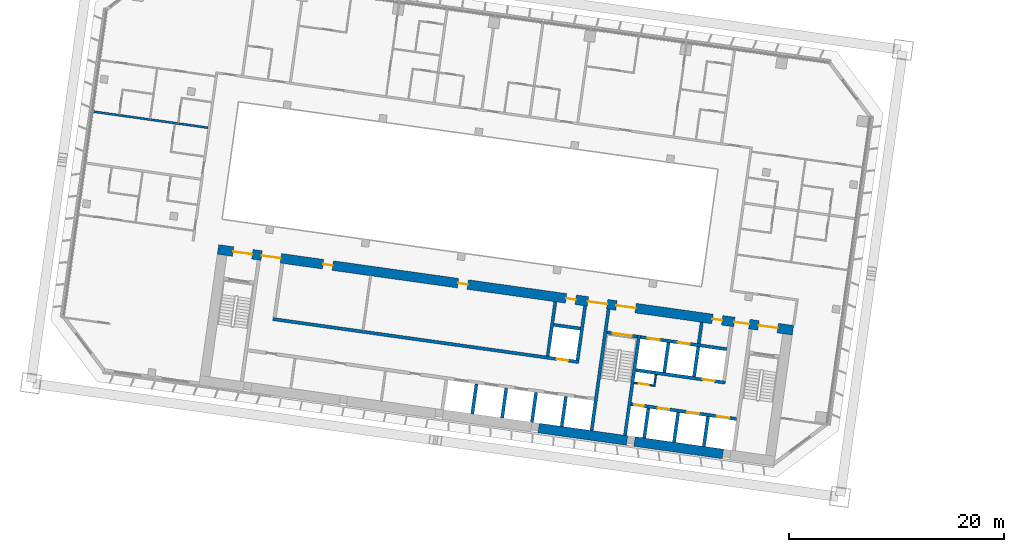
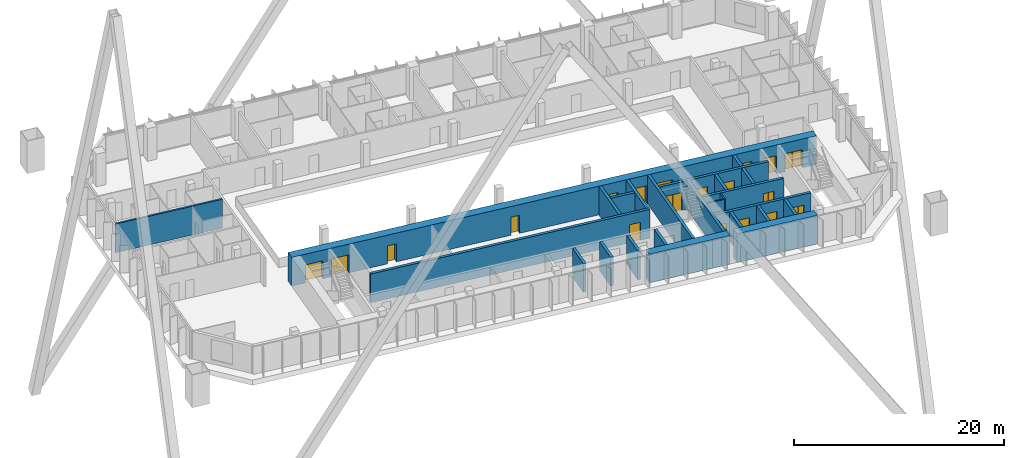
# One storey, part 39 of 49: 26 walls, 20 doors, 20 openings.
"""IFC4 building model written with IfcOpenShell, lengths in metres."""

import ifcopenshell
import ifcopenshell.guid

model = None  # the IFC model being written
_history = None  # IfcOwnerHistory: only IFC2X3 demands one
_inside = {}  # id of a spatial element -> (the spatial element, [elements in it])
_under = {}  # id of a project, library or spatial element -> (it, [spatial elements below it])
_declared = {}  # id of a project -> (the project, [libraries it declares])
_typed = {}  # id of a type object -> (the type object, [elements of that type])
_made_of = {}  # id of a material, layer set ... -> (it, [elements and type objects made of it])


def new_model(schema):
    """Start an empty IFC model of exactly this schema.

    Asked for "IFC4X3", IfcOpenShell would pick the latest addendum, in which some entities
    have other attributes; the version numbers below select the first issue.
    IFC2X3 requires an IfcOwnerHistory on every rooted entity: one is made here for all.
    """
    global model, _history
    if schema == "IFC4X3":
        model = ifcopenshell.file(schema_version=(4, 3, 0, 0))
    else:
        model = ifcopenshell.file(schema=schema)
    _inside.clear()
    _under.clear()
    _declared.clear()
    _typed.clear()
    _made_of.clear()
    _history = None
    if model.schema == "IFC2X3":
        org = make("IfcOrganization", Name="unknown")
        user = make(
            "IfcPersonAndOrganization",
            ThePerson=make("IfcPerson", FamilyName="unknown"),
            TheOrganization=org,
        )
        app = make(
            "IfcApplication",
            ApplicationDeveloper=org,
            Version="unknown",
            ApplicationFullName="unknown",
            ApplicationIdentifier="unknown",
        )
        _history = make(
            "IfcOwnerHistory",
            OwningUser=user,
            OwningApplication=app,
            ChangeAction="ADDED",
            CreationDate=0,
        )
    return model


def make(cls, **values):
    """One entity of the class cls with the attributes given. An attribute that is None is left unset."""
    return model.create_entity(
        cls, **{name: value for name, value in values.items() if value is not None}
    )


def rooted(cls, **values):
    """An entity with a GlobalId (a new one), such as an element, a storey or a relation."""
    return make(cls, GlobalId=ifcopenshell.guid.new(), OwnerHistory=_history, **values)


def si_unit(unit_type, name, prefix=None):
    """IfcSIUnit, for example si_unit("LENGTHUNIT", "METRE", prefix="MILLI")."""
    return make("IfcSIUnit", UnitType=unit_type, Prefix=prefix, Name=name)


def assignment(units):
    """IfcUnitAssignment: the units of a project."""
    return None if units is None else make("IfcUnitAssignment", Units=units)


def point(xyz):
    """IfcCartesianPoint."""
    return None if xyz is None else make("IfcCartesianPoint", Coordinates=xyz)


def direction(xyz):
    """IfcDirection."""
    return None if xyz is None else make("IfcDirection", DirectionRatios=xyz)


def frame(location, z_axis=None, x_axis=None):
    """IfcAxis2Placement3D, a coordinate frame: its origin and axes. An axis left out is left unset."""
    return make(
        "IfcAxis2Placement3D",
        Location=point(location),
        Axis=direction(z_axis),
        RefDirection=direction(x_axis),
    )


def frame_2d(location, x_axis=None):
    """IfcAxis2Placement2D, a coordinate frame in the plane: its origin and x axis."""
    return make(
        "IfcAxis2Placement2D", Location=point(location), RefDirection=direction(x_axis)
    )


def origin():
    """The frame at (0, 0, 0) with its axes left unset."""
    return frame((0.0, 0.0, 0.0))


def place(relative_to, where):
    """IfcLocalPlacement: puts the frame where relative to a parent placement (None: the world)."""
    return make(
        "IfcLocalPlacement", PlacementRelTo=relative_to, RelativePlacement=where
    )


def context(
    kind, dimensions, precision=None, world=None, true_north=None, identifier=None
):
    """IfcGeometricRepresentationContext, for example the 3D "Model" context."""
    return make(
        "IfcGeometricRepresentationContext",
        ContextIdentifier=identifier,
        ContextType=kind,
        CoordinateSpaceDimension=dimensions,
        Precision=precision,
        WorldCoordinateSystem=world,
        TrueNorth=true_north,
    )


def subcontext(parent, identifier, kind, view, scale=None):
    """IfcGeometricRepresentationSubContext, for example "Body" below "Model"."""
    return make(
        "IfcGeometricRepresentationSubContext",
        ContextIdentifier=identifier,
        ContextType=kind,
        ParentContext=parent,
        TargetScale=scale,
        TargetView=view,
    )


def project(units=None, contexts=None):
    """IfcProject with its units and contexts."""
    return rooted(
        "IfcProject",
        Name="project",
        RepresentationContexts=contexts,
        UnitsInContext=assignment(units),
    )


def spatial(cls, under=None, at=None, **own):
    """A site, building, storey or space (cls), placed at a placement, below another one or the project."""
    s = rooted(cls, ObjectPlacement=at, **own)
    if under is not None:
        _under.setdefault(under.id(), (under, []))[1].append(s)
    return s


def profile(cls, at=None, kind="AREA", **sizes):
    """A parametric profile (cls). Its sizes go by their IFC names, for example OverallWidth=200.0."""
    return make(cls, ProfileType=kind, Position=at, **sizes)


def rectangle(**sizes):
    """IfcRectangleProfileDef."""
    return profile("IfcRectangleProfileDef", **sizes)


def extrude(swept, where, along, depth):
    """IfcExtrudedAreaSolid: the profile swept, set in the frame where, extruded along a direction by depth."""
    return make(
        "IfcExtrudedAreaSolid",
        SweptArea=swept,
        Position=where,
        ExtrudedDirection=direction(along),
        Depth=depth,
    )


def shape(context_of_items, identifier, shape_type, items):
    """IfcShapeRepresentation: the items that make up one representation, for example the "Body"."""
    return make(
        "IfcShapeRepresentation",
        ContextOfItems=context_of_items,
        RepresentationIdentifier=identifier,
        RepresentationType=shape_type,
        Items=items,
    )


def material(Name=None, Category=None):
    """IfcMaterial."""
    return make("IfcMaterial", Name=Name, Category=Category)


def layer(
    of_material, thickness, ventilated=None, Name=None, Category=None, Priority=None
):
    """IfcMaterialLayer: one layer of a wall or slab, of a material (None: an air gap)."""
    return make(
        "IfcMaterialLayer",
        Material=of_material,
        LayerThickness=thickness,
        IsVentilated=ventilated,
        Name=Name,
        Category=Category,
        Priority=Priority,
    )


def layer_set(layers, Name=None):
    """IfcMaterialLayerSet."""
    return make("IfcMaterialLayerSet", MaterialLayers=layers, LayerSetName=Name)


def made_of(thing, what):
    """Note that an element or type object is made of a material, layer set ...; save() writes the relation."""
    if what is not None:
        _made_of.setdefault(what.id(), (what, []))[1].append(thing)
    return thing


def type_object(cls, material=None, **own):
    """A type object (cls), such as IfcWallType, which elements share."""
    return made_of(rooted(cls, **own), material)


def element(
    cls,
    number,
    at=None,
    inside=None,
    cuts=None,
    type_object=None,
    material=None,
    context=None,
    identifier="Body",
    shape_type=None,
    held_by="IfcProductDefinitionShape",
    body=None,
    shapes=None,
    **own,
):
    """One element of the class cls, such as IfcWall. Its Tag is "e" and its number.

    at: its placement. inside: the storey or other place that contains it. cuts: it is an
    opening in that element (IfcRelVoidsElement). A single representation is given by context,
    identifier, shape_type and body (its items); several are given by shapes. held_by: the class
    of the entity that holds the representations. save() writes the other relations.
    """
    e = rooted(cls, Tag="e%d" % number, ObjectPlacement=at, **own)
    if body is not None:
        shapes = [shape(context, identifier, shape_type, body)]
    if shapes is not None:
        e.Representation = make(held_by, Representations=shapes)
    if inside is not None:
        _inside.setdefault(inside.id(), (inside, []))[1].append(e)
    if cuts is not None:
        rooted(
            "IfcRelVoidsElement", RelatingBuildingElement=cuts, RelatedOpeningElement=e
        )
    if type_object is not None:
        _typed.setdefault(type_object.id(), (type_object, []))[1].append(e)
    return made_of(e, material)


def fill(opening, filler):
    """IfcRelFillsElement: the door or window that sits in an opening."""
    return rooted(
        "IfcRelFillsElement",
        RelatingOpeningElement=opening,
        RelatedBuildingElement=filler,
    )


def aggregate(whole, parts):
    """IfcRelAggregates: a whole, such as a stair, and the parts it consists of."""
    return rooted("IfcRelAggregates", RelatingObject=whole, RelatedObjects=parts)


def save(model, path):
    """Write the relations noted so far, then the file.

    IfcRelAggregates (storeys below a building ...), IfcRelContainedInSpatialStructure (elements
    in a storey), IfcRelDefinesByType, IfcRelAssociatesMaterial and IfcRelDeclares: one each for
    every whole, place, type object, material and project.
    """
    for whole, parts in _under.values():
        aggregate(whole, parts)
    for where, things in _inside.values():
        rooted(
            "IfcRelContainedInSpatialStructure",
            RelatedElements=things,
            RelatingStructure=where,
        )
    for kind, things in _typed.values():
        rooted("IfcRelDefinesByType", RelatedObjects=things, RelatingType=kind)
    for what, things in _made_of.values():
        rooted("IfcRelAssociatesMaterial", RelatedObjects=things, RelatingMaterial=what)
    for by, libraries in _declared.values():
        rooted("IfcRelDeclares", RelatingContext=by, RelatedDefinitions=libraries)
    model.write(path)


model = new_model("IFC4")

# Units and contexts
model_context = context("Model", 3, precision=1e-05, world=origin(), true_north=direction((0.0, 1.0)))
body_context = subcontext(model_context, "Body", "Model", "MODEL_VIEW")
ifc_project = project(units=[si_unit("LENGTHUNIT", "METRE"), si_unit("AREAUNIT", "SQUARE_METRE"), si_unit("VOLUMEUNIT", "CUBIC_METRE"), si_unit("PLANEANGLEUNIT", "RADIAN"), si_unit("MASSUNIT", "GRAM", prefix="KILO")], contexts=[model_context])

# Site, building, storey
site_placement = place(None, origin())
site = spatial("IfcSite", under=ifc_project, at=site_placement, CompositionType="ELEMENT")
building_placement = place(site_placement, origin())
building = spatial("IfcBuilding", under=site, at=building_placement, Name="Mirante Cascada Hotel Towers", CompositionType="ELEMENT")
storey_placement = place(building_placement, frame((0.0, 0.0, 66.1)))
storey = spatial("IfcBuildingStorey", under=building, at=storey_placement, Name="L13", CompositionType="ELEMENT", Elevation=66.1)

# Walls
ifc_material_1 = material(Name="Fire-rated plasterboard on metal studs")
ifc_layer_1 = layer(ifc_material_1, 0.2)
ifc_layer_set_1 = layer_set([ifc_layer_1], Name="Compartment wall 200 EI 120")
wall_type_1 = type_object("IfcWallType", Name="Compartment wall 200 EI 120", PredefinedType="PARTITIONING", material=ifc_layer_set_1)
wall_1_placement = place(storey_placement, frame((-100.6266, 12.8067, 0.0), z_axis=(0.0, 0.0, 1.0), x_axis=(0.990268, -0.1391733, 0.0)))
element("IfcWall", 1, at=wall_1_placement, inside=storey, type_object=wall_type_1, Name="Wall 1-L13-13", PredefinedType="PARTITIONING", context=body_context, shape_type="SweptSolid", body=[
    extrude(rectangle(XDim=11.0, YDim=0.2, at=frame_2d((5.5, 0.0))), origin(), (0.0, 0.0, 1.0), 3.35),
])
ifc_material_2 = material(Name="Masonry block", Category="masonry")
ifc_layer_2 = layer(ifc_material_2, 0.15)
ifc_layer_set_2 = layer_set([ifc_layer_2], Name="Core room partition 150 block EI 30")
wall_type_2 = type_object("IfcWallType", Name="Core room partition 150 block EI 30", PredefinedType="PARTITIONING", material=ifc_layer_set_2)
wall_2_placement = place(storey_placement, frame((-48.2295, -12.793, 0.0), z_axis=(0.0, 0.0, 1.0), x_axis=(0.1391935, 0.9902652, 0.0)))
element("IfcWall", 2, at=wall_2_placement, inside=storey, type_object=wall_type_2, Name="Core wall partition T1 L13 2", PredefinedType="PARTITIONING", context=body_context, shape_type="SweptSolid", body=[
    extrude(rectangle(XDim=1.1251, YDim=0.15, at=frame_2d((0.5626, 0.0))), origin(), (0.0, 0.0, 1.0), 3.35),
])

# Wall, opening, door
wall_3_placement = place(storey_placement, frame((-48.2933, -12.7083, 0.0), z_axis=(0.0, 0.0, 1.0), x_axis=(-0.990268, 0.1391734, 0.0)))
wall_3 = element("IfcWall", 3, at=wall_3_placement, inside=storey, type_object=wall_type_2, Name="Core wall partition T1 L13 3", PredefinedType="PARTITIONING", context=body_context, shape_type="SweptSolid", body=[
    extrude(rectangle(XDim=1.8251, YDim=0.15, at=frame_2d((0.9126, 0.0))), origin(), (0.0, 0.0, 1.0), 3.35),
])
opening_1_placement = place(wall_3_placement, frame((0.4625, 0.0, 0.0)))
opening_1 = element("IfcOpeningElement", 4, at=opening_1_placement, cuts=wall_3, Name="Opening D1-13-C23", PredefinedType="OPENING", context=body_context, shape_type="SweptSolid", body=[
    extrude(rectangle(XDim=0.9, YDim=2.1, at=frame_2d((0.45, 1.05))), frame((0.0, 0.075, 0.0), z_axis=(0.0, -1.0, 0.0), x_axis=(1.0, 0.0, 0.0)), (0.0, 0.0, 1.0), 0.15),
])
ifc_material_3 = material(Name="Hollow metal fire door leaf")
door_type_1 = type_object("IfcDoorType", Name="Fire door 900x2100 FD60", OperationType="NOTDEFINED", PredefinedType="DOOR", material=ifc_material_3)
door_1_placement = place(opening_1_placement, origin())
door_1 = element("IfcDoor", 5, at=door_1_placement, inside=storey, type_object=door_type_1, Name="Riser door T1 L13 23", OperationType="SINGLE_SWING_LEFT", OverallHeight=2.1, OverallWidth=0.9, PredefinedType="DOOR", context=body_context, shape_type="SweptSolid", body=[
    extrude(rectangle(XDim=0.9, YDim=2.1, at=frame_2d((0.45, 1.05))), frame((0.0, 0.025, 0.0), z_axis=(0.0, -1.0, 0.0), x_axis=(1.0, 0.0, 0.0)), (0.0, 0.0, 1.0), 0.05),
])
fill(opening_1, door_1)

# Walls
ifc_material_4 = material(Name="Masonry block", Category="masonry")
ifc_layer_3 = layer(ifc_material_4, 0.3)
ifc_layer_set_3 = layer_set([ifc_layer_3], Name="Core wall 300 block EI 120")
wall_type_3 = type_object("IfcWallType", Name="Core wall 300 block EI 120", PredefinedType="PARTITIONING", material=ifc_layer_set_3)
wall_4_placement = place(storey_placement, frame((-44.0843, -8.8061, 0.0), z_axis=(0.0, 0.0, 1.0), x_axis=(0.1391951, 0.990265, 0.0)))
element("IfcWall", 6, at=wall_4_placement, inside=storey, type_object=wall_type_3, Name="Core wall partition T1 L13 1", PredefinedType="PARTITIONING", context=body_context, shape_type="SweptSolid", body=[
    extrude(rectangle(XDim=2.0001, YDim=0.3, at=frame_2d((1.0001, 0.0))), origin(), (0.0, 0.0, 1.0), 3.35),
])
ifc_material_5 = material(Name="Concrete C50/60", Category="concrete")
ifc_layer_4 = layer(ifc_material_5, 0.3)
ifc_layer_set_4 = layer_set([ifc_layer_4], Name="RC core wall 300 C50/60")
wall_type_4 = type_object("IfcWallType", Name="RC core wall 300 C50/60", PredefinedType="SHEAR", material=ifc_layer_set_4)
wall_5_placement = place(storey_placement, frame((-50.938, -17.3352, 0.0), z_axis=(0.0, 0.0, 1.0), x_axis=(0.1391706, 0.9902684, 0.0)))
element("IfcWall", 7, at=wall_5_placement, inside=storey, type_object=wall_type_4, Name="Core wall T1:L13:6", PredefinedType="SHEAR", context=body_context, shape_type="SweptSolid", body=[
    extrude(rectangle(XDim=9.4, YDim=0.3, at=frame_2d((4.7, 0.0))), origin(), (0.0, 0.0, 1.0), 3.35),
])
wall_6_placement = place(storey_placement, frame((-54.0574, -16.8968, 0.0), z_axis=(0.0, 0.0, 1.0), x_axis=(0.1391761, 0.9902677, 0.0)))
element("IfcWall", 8, at=wall_6_placement, inside=storey, type_object=wall_type_4, Name="Core wall T1:L13:7", PredefinedType="SHEAR", context=body_context, shape_type="SweptSolid", body=[
    extrude(rectangle(XDim=11.3999, YDim=0.3, at=frame_2d((5.7, 0.0))), origin(), (0.0, 0.0, 1.0), 3.35),
])

# Wall, opening, door
wall_7_placement = place(storey_placement, frame((-49.7992, -8.1544, 0.0), z_axis=(0.0, 0.0, 1.0), x_axis=(-0.9902656, 0.1391909, 0.0)))
wall_7 = element("IfcWall", 9, at=wall_7_placement, inside=storey, type_object=wall_type_4, Name="Core wall T1:L13:10", PredefinedType="SHEAR", context=body_context, shape_type="SweptSolid", body=[
    extrude(rectangle(XDim=2.85, YDim=0.3, at=frame_2d((1.425, 0.0))), origin(), (0.0, 0.0, 1.0), 3.35),
])
opening_2_placement = place(wall_7_placement, frame((0.525, 0.0, 0.0)))
opening_2 = element("IfcOpeningElement", 10, at=opening_2_placement, cuts=wall_7, Name="Opening D1-13-C15", PredefinedType="OPENING", context=body_context, shape_type="SweptSolid", body=[
    extrude(rectangle(XDim=1.8, YDim=2.1, at=frame_2d((0.9, 1.05))), frame((0.0, 0.15, 0.0), z_axis=(0.0, -1.0, 0.0), x_axis=(1.0, 0.0, 0.0)), (0.0, 0.0, 1.0), 0.3),
])
ifc_material_6 = material(Name="Hollow metal fire door leaf")
door_type_2 = type_object("IfcDoorType", Name="Double fire door 1800x2100 FD60", OperationType="DOUBLE_DOOR_SINGLE_SWING", PredefinedType="DOOR", material=ifc_material_6)
door_2_placement = place(opening_2_placement, origin())
door_2 = element("IfcDoor", 11, at=door_2_placement, inside=storey, type_object=door_type_2, Name="Stair door T1 L13 15", OperationType="DOUBLE_DOOR_SINGLE_SWING", OverallHeight=2.1, OverallWidth=1.8, PredefinedType="DOOR", context=body_context, shape_type="SweptSolid", body=[
    extrude(rectangle(XDim=0.895, YDim=2.1, at=frame_2d((0.4475, 1.05))), frame((0.0, 0.025, 0.0), z_axis=(0.0, -1.0, 0.0), x_axis=(1.0, 0.0, 0.0)), (0.0, 0.0, 1.0), 0.05),
    extrude(rectangle(XDim=0.895, YDim=2.1, at=frame_2d((1.3525, 1.05))), frame((0.0, 0.025, 0.0), z_axis=(0.0, -1.0, 0.0), x_axis=(1.0, 0.0, 0.0)), (0.0, 0.0, 1.0), 0.05),
])
fill(opening_2, door_2)

# Wall, openings, doors
wall_8_placement = place(storey_placement, frame((-40.5753, -15.8126, 0.0), z_axis=(0.0, 0.0, 1.0), x_axis=(-0.9902682, 0.1391725, 0.0)))
wall_8 = element("IfcWall", 12, at=wall_8_placement, inside=storey, type_object=wall_type_4, Name="Core wall T1:L13:12", PredefinedType="SHEAR", context=body_context, shape_type="SweptSolid", body=[
    extrude(rectangle(XDim=9.8999, YDim=0.3, at=frame_2d((4.95, 0.0))), origin(), (0.0, 0.0, 1.0), 3.35),
])
opening_3_placement = place(wall_8_placement, frame((0.7, 0.0, 0.0)))
opening_3 = element("IfcOpeningElement", 13, at=opening_3_placement, cuts=wall_8, Name="Opening LD", PredefinedType="OPENING", context=body_context, shape_type="SweptSolid", body=[
    extrude(rectangle(XDim=1.1, YDim=2.1, at=frame_2d((0.55, 1.05))), frame((0.0, 0.15, 0.0), z_axis=(0.0, -1.0, 0.0), x_axis=(1.0, 0.0, 0.0)), (0.0, 0.0, 1.0), 0.3),
])
opening_4_placement = place(wall_8_placement, frame((3.5, 0.0, 0.0)))
opening_4 = element("IfcOpeningElement", 14, at=opening_4_placement, cuts=wall_8, Name="Opening LD", PredefinedType="OPENING", context=body_context, shape_type="SweptSolid", body=[
    extrude(rectangle(XDim=1.1, YDim=2.1, at=frame_2d((0.55, 1.05))), frame((0.0, 0.15, 0.0), z_axis=(0.0, -1.0, 0.0), x_axis=(1.0, 0.0, 0.0)), (0.0, 0.0, 1.0), 0.3),
])
opening_5_placement = place(wall_8_placement, frame((6.3, 0.0, 0.0)))
opening_5 = element("IfcOpeningElement", 15, at=opening_5_placement, cuts=wall_8, Name="Opening LD", PredefinedType="OPENING", context=body_context, shape_type="SweptSolid", body=[
    extrude(rectangle(XDim=1.1, YDim=2.1, at=frame_2d((0.55, 1.05))), frame((0.0, 0.15, 0.0), z_axis=(0.0, -1.0, 0.0), x_axis=(1.0, 0.0, 0.0)), (0.0, 0.0, 1.0), 0.3),
])
opening_6_placement = place(wall_8_placement, frame((8.7, 0.0, 0.0)))
opening_6 = element("IfcOpeningElement", 16, at=opening_6_placement, cuts=wall_8, Name="Opening D1-13-C22", PredefinedType="OPENING", context=body_context, shape_type="SweptSolid", body=[
    extrude(rectangle(XDim=0.9, YDim=2.1, at=frame_2d((0.45, 1.05))), frame((0.0, 0.15, 0.0), z_axis=(0.0, -1.0, 0.0), x_axis=(1.0, 0.0, 0.0)), (0.0, 0.0, 1.0), 0.3),
])
door_3_placement = place(opening_6_placement, origin())
door_3 = element("IfcDoor", 17, at=door_3_placement, inside=storey, type_object=door_type_1, Name="Riser door T1 L13 22", OperationType="SINGLE_SWING_LEFT", OverallHeight=2.1, OverallWidth=0.9, PredefinedType="DOOR", context=body_context, shape_type="SweptSolid", body=[
    extrude(rectangle(XDim=0.9, YDim=2.1, at=frame_2d((0.45, 1.05))), frame((0.0, 0.025, 0.0), z_axis=(0.0, -1.0, 0.0), x_axis=(1.0, 0.0, 0.0)), (0.0, 0.0, 1.0), 0.05),
])
fill(opening_6, door_3)
ifc_material_7 = material(Name="Stainless steel", Category="steel")
door_type_3 = type_object("IfcDoorType", Name="Lift landing door 1100x2100 EI 120", OperationType="DOUBLE_DOOR_SLIDING", PredefinedType="DOOR", material=ifc_material_7)
door_4_placement = place(opening_3_placement, origin())
door_4 = element("IfcDoor", 18, at=door_4_placement, inside=storey, type_object=door_type_3, Name="Lift landing door HR1-1 L13", OperationType="DOUBLE_DOOR_SLIDING", OverallHeight=2.1, OverallWidth=1.1, PredefinedType="DOOR", context=body_context, shape_type="SweptSolid", body=[
    extrude(rectangle(XDim=0.545, YDim=2.1, at=frame_2d((0.2725, 1.05))), frame((0.0, 0.025, 0.0), z_axis=(0.0, -1.0, 0.0), x_axis=(1.0, 0.0, 0.0)), (0.0, 0.0, 1.0), 0.05),
    extrude(rectangle(XDim=0.545, YDim=2.1, at=frame_2d((0.8275, 1.05))), frame((0.0, 0.025, 0.0), z_axis=(0.0, -1.0, 0.0), x_axis=(1.0, 0.0, 0.0)), (0.0, 0.0, 1.0), 0.05),
])
fill(opening_3, door_4)
door_5_placement = place(opening_4_placement, origin())
door_5 = element("IfcDoor", 19, at=door_5_placement, inside=storey, type_object=door_type_3, Name="Lift landing door HR1-2 L13", OperationType="DOUBLE_DOOR_SLIDING", OverallHeight=2.1, OverallWidth=1.1, PredefinedType="DOOR", context=body_context, shape_type="SweptSolid", body=[
    extrude(rectangle(XDim=0.545, YDim=2.1, at=frame_2d((0.2725, 1.05))), frame((0.0, 0.025, 0.0), z_axis=(0.0, -1.0, 0.0), x_axis=(1.0, 0.0, 0.0)), (0.0, 0.0, 1.0), 0.05),
    extrude(rectangle(XDim=0.545, YDim=2.1, at=frame_2d((0.8275, 1.05))), frame((0.0, 0.025, 0.0), z_axis=(0.0, -1.0, 0.0), x_axis=(1.0, 0.0, 0.0)), (0.0, 0.0, 1.0), 0.05),
])
fill(opening_4, door_5)
door_6_placement = place(opening_5_placement, origin())
door_6 = element("IfcDoor", 20, at=door_6_placement, inside=storey, type_object=door_type_3, Name="Lift landing door HR1-3 L13", OperationType="DOUBLE_DOOR_SLIDING", OverallHeight=2.1, OverallWidth=1.1, PredefinedType="DOOR", context=body_context, shape_type="SweptSolid", body=[
    extrude(rectangle(XDim=0.545, YDim=2.1, at=frame_2d((0.2725, 1.05))), frame((0.0, 0.025, 0.0), z_axis=(0.0, -1.0, 0.0), x_axis=(1.0, 0.0, 0.0)), (0.0, 0.0, 1.0), 0.05),
    extrude(rectangle(XDim=0.545, YDim=2.1, at=frame_2d((0.8275, 1.05))), frame((0.0, 0.025, 0.0), z_axis=(0.0, -1.0, 0.0), x_axis=(1.0, 0.0, 0.0)), (0.0, 0.0, 1.0), 0.05),
])
fill(opening_5, door_6)

# Wall, opening, door
wall_9_placement = place(storey_placement, frame((-41.6153, -12.435, 0.0), z_axis=(0.0, 0.0, 1.0), x_axis=(-0.9902691, 0.139166, 0.0)))
wall_9 = element("IfcWall", 21, at=wall_9_placement, inside=storey, type_object=wall_type_4, Name="Core wall T1:L13:13", PredefinedType="SHEAR", context=body_context, shape_type="SweptSolid", body=[
    extrude(rectangle(XDim=8.4, YDim=0.3, at=frame_2d((4.2, 0.0))), origin(), (0.0, 0.0, 1.0), 3.35),
])
opening_7_placement = place(wall_9_placement, frame((1.0, 0.0, 0.0)))
opening_7 = element("IfcOpeningElement", 22, at=opening_7_placement, cuts=wall_9, Name="Opening LD", PredefinedType="OPENING", context=body_context, shape_type="SweptSolid", body=[
    extrude(rectangle(XDim=1.1, YDim=2.1, at=frame_2d((0.55, 1.05))), frame((0.0, 0.15, 0.0), z_axis=(0.0, -1.0, 0.0), x_axis=(1.0, 0.0, 0.0)), (0.0, 0.0, 1.0), 0.3),
])
door_7_placement = place(opening_7_placement, origin())
door_7 = element("IfcDoor", 23, at=door_7_placement, inside=storey, type_object=door_type_3, Name="Lift landing door HR1-4 L13", OperationType="DOUBLE_DOOR_SLIDING", OverallHeight=2.1, OverallWidth=1.1, PredefinedType="DOOR", context=body_context, shape_type="SweptSolid", body=[
    extrude(rectangle(XDim=0.545, YDim=2.1, at=frame_2d((0.2725, 1.05))), frame((0.0, 0.025, 0.0), z_axis=(0.0, -1.0, 0.0), x_axis=(1.0, 0.0, 0.0)), (0.0, 0.0, 1.0), 0.05),
    extrude(rectangle(XDim=0.545, YDim=2.1, at=frame_2d((0.8275, 1.05))), frame((0.0, 0.025, 0.0), z_axis=(0.0, -1.0, 0.0), x_axis=(1.0, 0.0, 0.0)), (0.0, 0.0, 1.0), 0.05),
])
fill(opening_7, door_7)

# Wall, openings, doors
wall_10_placement = place(storey_placement, frame((-41.481, -9.3234, 0.0), z_axis=(0.0, 0.0, 1.0), x_axis=(-0.9902679, 0.1391741, 0.0)))
wall_10 = element("IfcWall", 24, at=wall_10_placement, inside=storey, type_object=wall_type_4, Name="Core wall T1:L13:14", PredefinedType="SHEAR", context=body_context, shape_type="SweptSolid", body=[
    extrude(rectangle(XDim=8.0999, YDim=0.3, at=frame_2d((4.05, 0.0))), origin(), (0.0, 0.0, 1.0), 3.35),
])
opening_8_placement = place(wall_10_placement, frame((3.5, 0.0, 0.0)))
opening_8 = element("IfcOpeningElement", 25, at=opening_8_placement, cuts=wall_10, Name="Opening LD", PredefinedType="OPENING", context=body_context, shape_type="SweptSolid", body=[
    extrude(rectangle(XDim=1.1, YDim=2.1, at=frame_2d((0.55, 1.05))), frame((0.0, 0.15, 0.0), z_axis=(0.0, -1.0, 0.0), x_axis=(1.0, 0.0, 0.0)), (0.0, 0.0, 1.0), 0.3),
])
opening_9_placement = place(wall_10_placement, frame((6.3, 0.0, 0.0)))
opening_9 = element("IfcOpeningElement", 26, at=opening_9_placement, cuts=wall_10, Name="Opening LD", PredefinedType="OPENING", context=body_context, shape_type="SweptSolid", body=[
    extrude(rectangle(XDim=1.1, YDim=2.1, at=frame_2d((0.55, 1.05))), frame((0.0, 0.15, 0.0), z_axis=(0.0, -1.0, 0.0), x_axis=(1.0, 0.0, 0.0)), (0.0, 0.0, 1.0), 0.3),
])
door_8_placement = place(opening_8_placement, origin())
door_8 = element("IfcDoor", 27, at=door_8_placement, inside=storey, type_object=door_type_3, Name="Lift landing door FF1 L13", OperationType="DOUBLE_DOOR_SLIDING", OverallHeight=2.1, OverallWidth=1.1, PredefinedType="DOOR", context=body_context, shape_type="SweptSolid", body=[
    extrude(rectangle(XDim=0.545, YDim=2.1, at=frame_2d((0.2725, 1.05))), frame((0.0, 0.025, 0.0), z_axis=(0.0, -1.0, 0.0), x_axis=(1.0, 0.0, 0.0)), (0.0, 0.0, 1.0), 0.05),
    extrude(rectangle(XDim=0.545, YDim=2.1, at=frame_2d((0.8275, 1.05))), frame((0.0, 0.025, 0.0), z_axis=(0.0, -1.0, 0.0), x_axis=(1.0, 0.0, 0.0)), (0.0, 0.0, 1.0), 0.05),
])
fill(opening_8, door_8)
door_9_placement = place(opening_9_placement, origin())
door_9 = element("IfcDoor", 28, at=door_9_placement, inside=storey, type_object=door_type_3, Name="Lift landing door FF2 L13", OperationType="DOUBLE_DOOR_SLIDING", OverallHeight=2.1, OverallWidth=1.1, PredefinedType="DOOR", context=body_context, shape_type="SweptSolid", body=[
    extrude(rectangle(XDim=0.545, YDim=2.1, at=frame_2d((0.2725, 1.05))), frame((0.0, 0.025, 0.0), z_axis=(0.0, -1.0, 0.0), x_axis=(1.0, 0.0, 0.0)), (0.0, 0.0, 1.0), 0.05),
    extrude(rectangle(XDim=0.545, YDim=2.1, at=frame_2d((0.8275, 1.05))), frame((0.0, 0.025, 0.0), z_axis=(0.0, -1.0, 0.0), x_axis=(1.0, 0.0, 0.0)), (0.0, 0.0, 1.0), 0.05),
])
fill(opening_9, door_9)

# Walls
wall_11_placement = place(storey_placement, frame((-43.61, -18.3651, 0.0), z_axis=(0.0, 0.0, 1.0), x_axis=(0.1391459, 0.9902719, 0.0)))
element("IfcWall", 29, at=wall_11_placement, inside=storey, type_object=wall_type_4, Name="Core wall T1:L13:15", PredefinedType="SHEAR", context=body_context, shape_type="SweptSolid", body=[
    extrude(rectangle(XDim=2.7999, YDim=0.3, at=frame_2d((1.4, 0.0))), origin(), (0.0, 0.0, 1.0), 3.35),
])
wall_12_placement = place(storey_placement, frame((-46.3828, -17.9754, 0.0), z_axis=(0.0, 0.0, 1.0), x_axis=(0.139181, 0.990267, 0.0)))
element("IfcWall", 30, at=wall_12_placement, inside=storey, type_object=wall_type_4, Name="Core wall T1:L13:16", PredefinedType="SHEAR", context=body_context, shape_type="SweptSolid", body=[
    extrude(rectangle(XDim=2.8, YDim=0.3, at=frame_2d((1.4, 0.0))), origin(), (0.0, 0.0, 1.0), 3.35),
])
wall_13_placement = place(storey_placement, frame((-49.1555, -17.5857, 0.0), z_axis=(0.0, 0.0, 1.0), x_axis=(0.1391459, 0.9902719, 0.0)))
element("IfcWall", 31, at=wall_13_placement, inside=storey, type_object=wall_type_4, Name="Core wall T1:L13:17", PredefinedType="SHEAR", context=body_context, shape_type="SweptSolid", body=[
    extrude(rectangle(XDim=2.7999, YDim=0.3, at=frame_2d((1.4, 0.0))), origin(), (0.0, 0.0, 1.0), 3.35),
])
for number, where, z_axis, x_axis, name in (
    (32, (-44.5157, -11.8759, 0.0), (0.0, 0.0, 1.0), (0.139181, 0.990267, 0.0), "Core wall T1:L13:18"),
    (33, (-47.2885, -11.4862, 0.0), (0.0, 0.0, 1.0), (0.139181, 0.990267, 0.0), "Core wall T1:L13:19"),
):
    element("IfcWall", number, at=place(storey_placement, frame(where, z_axis=z_axis, x_axis=x_axis)), inside=storey, type_object=wall_type_4, Name=name, PredefinedType="SHEAR", context=body_context, shape_type="SweptSolid", body=[
        extrude(rectangle(XDim=2.8, YDim=0.3, at=frame_2d((1.4, 0.0))), origin(), (0.0, 0.0, 1.0), 3.35),
    ])
for number, where, z_axis, x_axis, name in (
    (34, (-56.8301, -16.5072, 0.0), (0.0, 0.0, 1.0), (0.139176, 0.9902677, 0.0), "Core wall T1:L13:25"),
    (35, (-59.6029, -16.1175, 0.0), (0.0, 0.0, 1.0), (0.139176, 0.9902677, 0.0), "Core wall T1:L13:26"),
    (36, (-62.3756, -15.7278, 0.0), (0.0, 0.0, 1.0), (0.139176, 0.9902677, 0.0), "Core wall T1:L13:27"),
    (37, (-65.1484, -15.3381, 0.0), (0.0, 0.0, 1.0), (0.139176, 0.9902677, 0.0), "Core wall T1:L13:28"),
):
    element("IfcWall", number, at=place(storey_placement, frame(where, z_axis=z_axis, x_axis=x_axis)), inside=storey, type_object=wall_type_4, Name=name, PredefinedType="SHEAR", context=body_context, shape_type="SweptSolid", body=[
        extrude(rectangle(XDim=2.8001, YDim=0.3, at=frame_2d((1.4, 0.0))), origin(), (0.0, 0.0, 1.0), 3.35),
    ])

# Wall, opening, door
wall_14_placement = place(storey_placement, frame((-55.2315, -10.5214, 0.0), z_axis=(0.0, 0.0, 1.0), x_axis=(-0.9902682, 0.1391722, 0.0)))
wall_14 = element("IfcWall", 38, at=wall_14_placement, inside=storey, type_object=wall_type_4, Name="Core wall T1:L13:32", PredefinedType="SHEAR", context=body_context, shape_type="SweptSolid", body=[
    extrude(rectangle(XDim=28.75, YDim=0.3, at=frame_2d((14.375, 0.0))), origin(), (0.0, 0.0, 1.0), 3.35),
])
opening_10_placement = place(wall_14_placement, frame((1.0, 0.0, 0.0)))
opening_10 = element("IfcOpeningElement", 39, at=opening_10_placement, cuts=wall_14, Name="Opening LD", PredefinedType="OPENING", context=body_context, shape_type="SweptSolid", body=[
    extrude(rectangle(XDim=1.1, YDim=2.1, at=frame_2d((0.55, 1.05))), frame((0.0, 0.15, 0.0), z_axis=(0.0, -1.0, 0.0), x_axis=(1.0, 0.0, 0.0)), (0.0, 0.0, 1.0), 0.3),
])
door_10_placement = place(opening_10_placement, origin())
door_10 = element("IfcDoor", 40, at=door_10_placement, inside=storey, type_object=door_type_3, Name="Lift landing door LR1-3 L13", OperationType="DOUBLE_DOOR_SLIDING", OverallHeight=2.1, OverallWidth=1.1, PredefinedType="DOOR", context=body_context, shape_type="SweptSolid", body=[
    extrude(rectangle(XDim=0.545, YDim=2.1, at=frame_2d((0.2725, 1.05))), frame((0.0, 0.025, 0.0), z_axis=(0.0, -1.0, 0.0), x_axis=(1.0, 0.0, 0.0)), (0.0, 0.0, 1.0), 0.05),
    extrude(rectangle(XDim=0.545, YDim=2.1, at=frame_2d((0.8275, 1.05))), frame((0.0, 0.025, 0.0), z_axis=(0.0, -1.0, 0.0), x_axis=(1.0, 0.0, 0.0)), (0.0, 0.0, 1.0), 0.05),
])
fill(opening_10, door_10)

# Walls
for number, where, z_axis, x_axis, name in (
    (41, (-55.3592, -10.352, 0.0), (0.0, 0.0, 1.0), (0.1391755, 0.9902677, 0.0), "Core wall T1:L13:33"),
    (42, (-58.1319, -9.9623, 0.0), (0.0, 0.0, 1.0), (0.1391755, 0.9902677, 0.0), "Core wall T1:L13:35"),
):
    element("IfcWall", number, at=place(storey_placement, frame(where, z_axis=z_axis, x_axis=x_axis)), inside=storey, type_object=wall_type_4, Name=name, PredefinedType="SHEAR", context=body_context, shape_type="SweptSolid", body=[
        extrude(rectangle(XDim=5.1, YDim=0.3, at=frame_2d((2.55, 0.0))), origin(), (0.0, 0.0, 1.0), 3.35),
    ])
wall_15_placement = place(storey_placement, frame((-55.0971, -7.4098, 0.0), z_axis=(0.0, 0.0, 1.0), x_axis=(-0.9902701, 0.1391586, 0.0)))
element("IfcWall", 43, at=wall_15_placement, inside=storey, type_object=wall_type_4, Name="Core wall T1:L13:36", PredefinedType="SHEAR", context=body_context, shape_type="SweptSolid", body=[
    extrude(rectangle(XDim=2.5, YDim=0.3, at=frame_2d((1.25, 0.0))), origin(), (0.0, 0.0, 1.0), 3.35),
])
ifc_material_8 = material(Name="Concrete C50/60", Category="concrete")
ifc_layer_5 = layer(ifc_material_8, 0.9)
ifc_layer_set_5 = layer_set([ifc_layer_5], Name="RC core wall 900 C50/60")
wall_type_5 = type_object("IfcWallType", Name="RC core wall 900 C50/60", PredefinedType="SHEAR", material=ifc_layer_set_5)
for number, where, z_axis, x_axis, name in (
    (44, (-41.8407, -19.0682, 0.0), (0.0, 0.0, 1.0), (-0.9902686, 0.1391692, 0.0), "Core wall T1:L13:1.2"),
    (45, (-50.7531, -17.8156, 0.0), (0.0, 0.0, 1.0), (-0.9902686, 0.1391692, 0.0), "Core wall T1:L13:1.3"),
):
    element("IfcWall", number, at=place(storey_placement, frame(where, z_axis=z_axis, x_axis=x_axis)), inside=storey, type_object=wall_type_5, Name=name, PredefinedType="SHEAR", context=body_context, shape_type="SweptSolid", body=[
        extrude(rectangle(XDim=8.3, YDim=0.9, at=frame_2d((4.15, 0.0))), origin(), (0.0, 0.0, 1.0), 3.35),
    ])

# Wall, openings, doors
wall_16_placement = place(storey_placement, frame((-35.326, -7.5629, 0.0), z_axis=(0.0, 0.0, 1.0), x_axis=(-0.9902679, 0.139174, 0.0)))
wall_16 = element("IfcWall", 46, at=wall_16_placement, inside=storey, type_object=wall_type_5, Name="Core wall T1:L13:2", PredefinedType="SHEAR", context=body_context, shape_type="SweptSolid", body=[
    extrude(rectangle(XDim=54.0, YDim=0.9, at=frame_2d((27.0, 0.0))), origin(), (0.0, 0.0, 1.0), 3.35),
])
opening_11_placement = place(wall_16_placement, frame((1.425, 0.0, 0.0)))
opening_11 = element("IfcOpeningElement", 47, at=opening_11_placement, cuts=wall_16, Name="Opening D1-13-C14", PredefinedType="OPENING", context=body_context, shape_type="SweptSolid", body=[
    extrude(rectangle(XDim=1.8, YDim=2.1, at=frame_2d((0.9, 1.05))), frame((0.0, 0.45, 0.0), z_axis=(0.0, -1.0, 0.0), x_axis=(1.0, 0.0, 0.0)), (0.0, 0.0, 1.0), 0.9),
])
opening_12_placement = place(wall_16_placement, frame((14.775, 0.0, 0.0)))
opening_12 = element("IfcOpeningElement", 48, at=opening_12_placement, cuts=wall_16, Name="Opening D1-13-C16", PredefinedType="OPENING", context=body_context, shape_type="SweptSolid", body=[
    extrude(rectangle(XDim=1.8, YDim=2.1, at=frame_2d((0.9, 1.05))), frame((0.0, 0.45, 0.0), z_axis=(0.0, -1.0, 0.0), x_axis=(1.0, 0.0, 0.0)), (0.0, 0.0, 1.0), 0.9),
])
opening_13_placement = place(wall_16_placement, frame((50.775, 0.0, 0.0)))
opening_13 = element("IfcOpeningElement", 49, at=opening_13_placement, cuts=wall_16, Name="Opening D1-13-C18", PredefinedType="OPENING", context=body_context, shape_type="SweptSolid", body=[
    extrude(rectangle(XDim=1.8, YDim=2.1, at=frame_2d((0.9, 1.05))), frame((0.0, 0.45, 0.0), z_axis=(0.0, -1.0, 0.0), x_axis=(1.0, 0.0, 0.0)), (0.0, 0.0, 1.0), 0.9),
])
opening_14_placement = place(wall_16_placement, frame((4.1, 0.0, 0.0)))
opening_14 = element("IfcOpeningElement", 50, at=opening_14_placement, cuts=wall_16, Name="Opening D1-13-C19", PredefinedType="OPENING", context=body_context, shape_type="SweptSolid", body=[
    extrude(rectangle(XDim=1.4, YDim=2.1, at=frame_2d((0.7, 1.05))), frame((0.0, 0.45, 0.0), z_axis=(0.0, -1.0, 0.0), x_axis=(1.0, 0.0, 0.0)), (0.0, 0.0, 1.0), 0.9),
])
opening_15_placement = place(wall_16_placement, frame((17.45, 0.0, 0.0)))
opening_15 = element("IfcOpeningElement", 51, at=opening_15_placement, cuts=wall_16, Name="Opening D1-13-C20", PredefinedType="OPENING", context=body_context, shape_type="SweptSolid", body=[
    extrude(rectangle(XDim=1.8, YDim=2.1, at=frame_2d((0.9, 1.05))), frame((0.0, 0.45, 0.0), z_axis=(0.0, -1.0, 0.0), x_axis=(1.0, 0.0, 0.0)), (0.0, 0.0, 1.0), 0.9),
])
opening_16_placement = place(wall_16_placement, frame((48.1, 0.0, 0.0)))
opening_16 = element("IfcOpeningElement", 52, at=opening_16_placement, cuts=wall_16, Name="Opening D1-13-C21", PredefinedType="OPENING", context=body_context, shape_type="SweptSolid", body=[
    extrude(rectangle(XDim=1.8, YDim=2.1, at=frame_2d((0.9, 1.05))), frame((0.0, 0.45, 0.0), z_axis=(0.0, -1.0, 0.0), x_axis=(1.0, 0.0, 0.0)), (0.0, 0.0, 1.0), 0.9),
])
opening_17_placement = place(wall_16_placement, frame((6.65, 0.0, 0.0)))
opening_17 = element("IfcOpeningElement", 53, at=opening_17_placement, cuts=wall_16, Name="Opening D1-13-C24", PredefinedType="OPENING", context=body_context, shape_type="SweptSolid", body=[
    extrude(rectangle(XDim=0.9, YDim=2.1, at=frame_2d((0.45, 1.05))), frame((0.0, 0.45, 0.0), z_axis=(0.0, -1.0, 0.0), x_axis=(1.0, 0.0, 0.0)), (0.0, 0.0, 1.0), 0.9),
])
opening_18_placement = place(wall_16_placement, frame((20.4, 0.0, 0.0)))
opening_18 = element("IfcOpeningElement", 54, at=opening_18_placement, cuts=wall_16, Name="Opening D1-13-C28", PredefinedType="OPENING", context=body_context, shape_type="SweptSolid", body=[
    extrude(rectangle(XDim=0.9, YDim=2.1, at=frame_2d((0.45, 1.05))), frame((0.0, 0.45, 0.0), z_axis=(0.0, -1.0, 0.0), x_axis=(1.0, 0.0, 0.0)), (0.0, 0.0, 1.0), 0.9),
])
opening_19_placement = place(wall_16_placement, frame((30.55, 0.0, 0.0)))
opening_19 = element("IfcOpeningElement", 55, at=opening_19_placement, cuts=wall_16, Name="Opening D1-13-C29", PredefinedType="OPENING", context=body_context, shape_type="SweptSolid", body=[
    extrude(rectangle(XDim=0.9, YDim=2.1, at=frame_2d((0.45, 1.05))), frame((0.0, 0.45, 0.0), z_axis=(0.0, -1.0, 0.0), x_axis=(1.0, 0.0, 0.0)), (0.0, 0.0, 1.0), 0.9),
])
opening_20_placement = place(wall_16_placement, frame((43.225, 0.0, 0.0)))
opening_20 = element("IfcOpeningElement", 56, at=opening_20_placement, cuts=wall_16, Name="Opening D1-13-C30", PredefinedType="OPENING", context=body_context, shape_type="SweptSolid", body=[
    extrude(rectangle(XDim=0.9, YDim=2.1, at=frame_2d((0.45, 1.05))), frame((0.0, 0.45, 0.0), z_axis=(0.0, -1.0, 0.0), x_axis=(1.0, 0.0, 0.0)), (0.0, 0.0, 1.0), 0.9),
])
ifc_material_9 = material(Name="Hollow metal fire door leaf")
door_type_4 = type_object("IfcDoorType", Name="Double fire door 1400x2100 FD60", OperationType="DOUBLE_DOOR_SINGLE_SWING", PredefinedType="DOOR", material=ifc_material_9)
door_11_placement = place(opening_14_placement, frame((1.4, 0.0, 0.0), z_axis=(0.0, 0.0, 1.0), x_axis=(-1.0, 0.0, 0.0)))
door_11 = element("IfcDoor", 57, at=door_11_placement, inside=storey, type_object=door_type_4, Name="Exit door to gallery T1 L13 19", OperationType="DOUBLE_DOOR_SINGLE_SWING", OverallHeight=2.1, OverallWidth=1.4, PredefinedType="DOOR", context=body_context, shape_type="SweptSolid", body=[
    extrude(rectangle(XDim=0.695, YDim=2.1, at=frame_2d((0.3475, 1.05))), frame((0.0, 0.025, 0.0), z_axis=(0.0, -1.0, 0.0), x_axis=(1.0, 0.0, 0.0)), (0.0, 0.0, 1.0), 0.05),
    extrude(rectangle(XDim=0.695, YDim=2.1, at=frame_2d((1.0525, 1.05))), frame((0.0, 0.025, 0.0), z_axis=(0.0, -1.0, 0.0), x_axis=(1.0, 0.0, 0.0)), (0.0, 0.0, 1.0), 0.05),
])
fill(opening_14, door_11)
door_12_placement = place(opening_11_placement, origin())
door_12 = element("IfcDoor", 58, at=door_12_placement, inside=storey, type_object=door_type_2, Name="Exit door to gallery T1 L13 14", OperationType="DOUBLE_DOOR_SINGLE_SWING", OverallHeight=2.1, OverallWidth=1.8, PredefinedType="DOOR", context=body_context, shape_type="SweptSolid", body=[
    extrude(rectangle(XDim=0.895, YDim=2.1, at=frame_2d((0.4475, 1.05))), frame((0.0, 0.025, 0.0), z_axis=(0.0, -1.0, 0.0), x_axis=(1.0, 0.0, 0.0)), (0.0, 0.0, 1.0), 0.05),
    extrude(rectangle(XDim=0.895, YDim=2.1, at=frame_2d((1.3525, 1.05))), frame((0.0, 0.025, 0.0), z_axis=(0.0, -1.0, 0.0), x_axis=(1.0, 0.0, 0.0)), (0.0, 0.0, 1.0), 0.05),
])
fill(opening_11, door_12)
door_13_placement = place(opening_12_placement, origin())
door_13 = element("IfcDoor", 59, at=door_13_placement, inside=storey, type_object=door_type_2, Name="Exit door to gallery T1 L13 16", OperationType="DOUBLE_DOOR_SINGLE_SWING", OverallHeight=2.1, OverallWidth=1.8, PredefinedType="DOOR", context=body_context, shape_type="SweptSolid", body=[
    extrude(rectangle(XDim=0.895, YDim=2.1, at=frame_2d((0.4475, 1.05))), frame((0.0, 0.025, 0.0), z_axis=(0.0, -1.0, 0.0), x_axis=(1.0, 0.0, 0.0)), (0.0, 0.0, 1.0), 0.05),
    extrude(rectangle(XDim=0.895, YDim=2.1, at=frame_2d((1.3525, 1.05))), frame((0.0, 0.025, 0.0), z_axis=(0.0, -1.0, 0.0), x_axis=(1.0, 0.0, 0.0)), (0.0, 0.0, 1.0), 0.05),
])
fill(opening_12, door_13)
door_14_placement = place(opening_13_placement, origin())
door_14 = element("IfcDoor", 60, at=door_14_placement, inside=storey, type_object=door_type_2, Name="Exit door to gallery T1 L13 18", OperationType="DOUBLE_DOOR_SINGLE_SWING", OverallHeight=2.1, OverallWidth=1.8, PredefinedType="DOOR", context=body_context, shape_type="SweptSolid", body=[
    extrude(rectangle(XDim=0.895, YDim=2.1, at=frame_2d((0.4475, 1.05))), frame((0.0, 0.025, 0.0), z_axis=(0.0, -1.0, 0.0), x_axis=(1.0, 0.0, 0.0)), (0.0, 0.0, 1.0), 0.05),
    extrude(rectangle(XDim=0.895, YDim=2.1, at=frame_2d((1.3525, 1.05))), frame((0.0, 0.025, 0.0), z_axis=(0.0, -1.0, 0.0), x_axis=(1.0, 0.0, 0.0)), (0.0, 0.0, 1.0), 0.05),
])
fill(opening_13, door_14)
door_15_placement = place(opening_15_placement, frame((1.8, 0.0, 0.0), z_axis=(0.0, 0.0, 1.0), x_axis=(-1.0, 0.0, 0.0)))
door_15 = element("IfcDoor", 61, at=door_15_placement, inside=storey, type_object=door_type_2, Name="Exit door to gallery T1 L13 20", OperationType="DOUBLE_DOOR_SINGLE_SWING", OverallHeight=2.1, OverallWidth=1.8, PredefinedType="DOOR", context=body_context, shape_type="SweptSolid", body=[
    extrude(rectangle(XDim=0.895, YDim=2.1, at=frame_2d((0.4475, 1.05))), frame((0.0, 0.025, 0.0), z_axis=(0.0, -1.0, 0.0), x_axis=(1.0, 0.0, 0.0)), (0.0, 0.0, 1.0), 0.05),
    extrude(rectangle(XDim=0.895, YDim=2.1, at=frame_2d((1.3525, 1.05))), frame((0.0, 0.025, 0.0), z_axis=(0.0, -1.0, 0.0), x_axis=(1.0, 0.0, 0.0)), (0.0, 0.0, 1.0), 0.05),
])
fill(opening_15, door_15)
door_16_placement = place(opening_16_placement, frame((1.8, 0.0, 0.0), z_axis=(0.0, 0.0, 1.0), x_axis=(-1.0, 0.0, 0.0)))
door_16 = element("IfcDoor", 62, at=door_16_placement, inside=storey, type_object=door_type_2, Name="Exit door to gallery T1 L13 21", OperationType="DOUBLE_DOOR_SINGLE_SWING", OverallHeight=2.1, OverallWidth=1.8, PredefinedType="DOOR", context=body_context, shape_type="SweptSolid", body=[
    extrude(rectangle(XDim=0.895, YDim=2.1, at=frame_2d((0.4475, 1.05))), frame((0.0, 0.025, 0.0), z_axis=(0.0, -1.0, 0.0), x_axis=(1.0, 0.0, 0.0)), (0.0, 0.0, 1.0), 0.05),
    extrude(rectangle(XDim=0.895, YDim=2.1, at=frame_2d((1.3525, 1.05))), frame((0.0, 0.025, 0.0), z_axis=(0.0, -1.0, 0.0), x_axis=(1.0, 0.0, 0.0)), (0.0, 0.0, 1.0), 0.05),
])
fill(opening_16, door_16)
door_17_placement = place(opening_17_placement, origin())
door_17 = element("IfcDoor", 63, at=door_17_placement, inside=storey, type_object=door_type_1, Name="Room door T1 L13 24", OperationType="SINGLE_SWING_RIGHT", OverallHeight=2.1, OverallWidth=0.9, PredefinedType="DOOR", context=body_context, shape_type="SweptSolid", body=[
    extrude(rectangle(XDim=0.9, YDim=2.1, at=frame_2d((0.45, 1.05))), frame((0.0, 0.025, 0.0), z_axis=(0.0, -1.0, 0.0), x_axis=(1.0, 0.0, 0.0)), (0.0, 0.0, 1.0), 0.05),
])
fill(opening_17, door_17)
door_18_placement = place(opening_18_placement, origin())
door_18 = element("IfcDoor", 64, at=door_18_placement, inside=storey, type_object=door_type_1, Name="Room door T1 L13 28", OperationType="SINGLE_SWING_RIGHT", OverallHeight=2.1, OverallWidth=0.9, PredefinedType="DOOR", context=body_context, shape_type="SweptSolid", body=[
    extrude(rectangle(XDim=0.9, YDim=2.1, at=frame_2d((0.45, 1.05))), frame((0.0, 0.025, 0.0), z_axis=(0.0, -1.0, 0.0), x_axis=(1.0, 0.0, 0.0)), (0.0, 0.0, 1.0), 0.05),
])
fill(opening_18, door_18)
door_19_placement = place(opening_19_placement, origin())
door_19 = element("IfcDoor", 65, at=door_19_placement, inside=storey, type_object=door_type_1, Name="Room door T1 L13 29", OperationType="SINGLE_SWING_LEFT", OverallHeight=2.1, OverallWidth=0.9, PredefinedType="DOOR", context=body_context, shape_type="SweptSolid", body=[
    extrude(rectangle(XDim=0.9, YDim=2.1, at=frame_2d((0.45, 1.05))), frame((0.0, 0.025, 0.0), z_axis=(0.0, -1.0, 0.0), x_axis=(1.0, 0.0, 0.0)), (0.0, 0.0, 1.0), 0.05),
])
fill(opening_19, door_19)
door_20_placement = place(opening_20_placement, origin())
door_20 = element("IfcDoor", 66, at=door_20_placement, inside=storey, type_object=door_type_1, Name="Room door T1 L13 30", OperationType="SINGLE_SWING_LEFT", OverallHeight=2.1, OverallWidth=0.9, PredefinedType="DOOR", context=body_context, shape_type="SweptSolid", body=[
    extrude(rectangle(XDim=0.9, YDim=2.1, at=frame_2d((0.45, 1.05))), frame((0.0, 0.025, 0.0), z_axis=(0.0, -1.0, 0.0), x_axis=(1.0, 0.0, 0.0)), (0.0, 0.0, 1.0), 0.05),
])
fill(opening_20, door_20)

save(model, "model.ifc")
